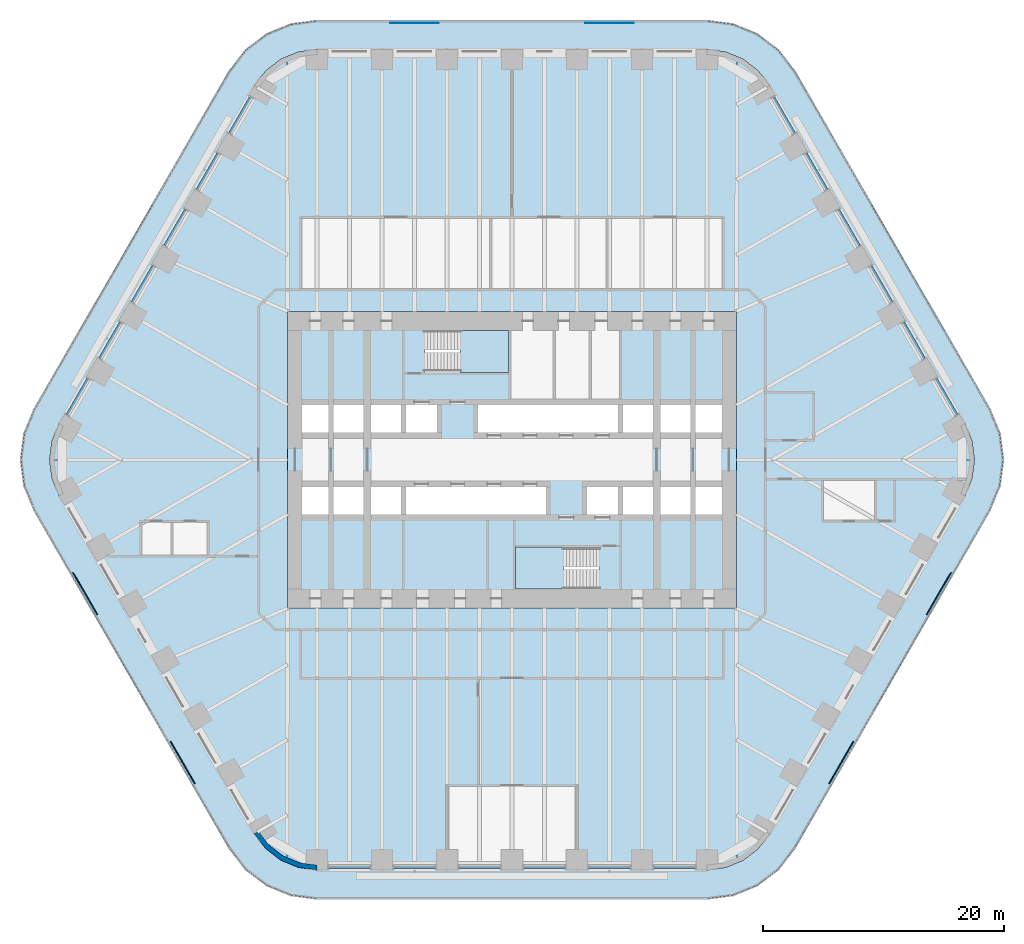
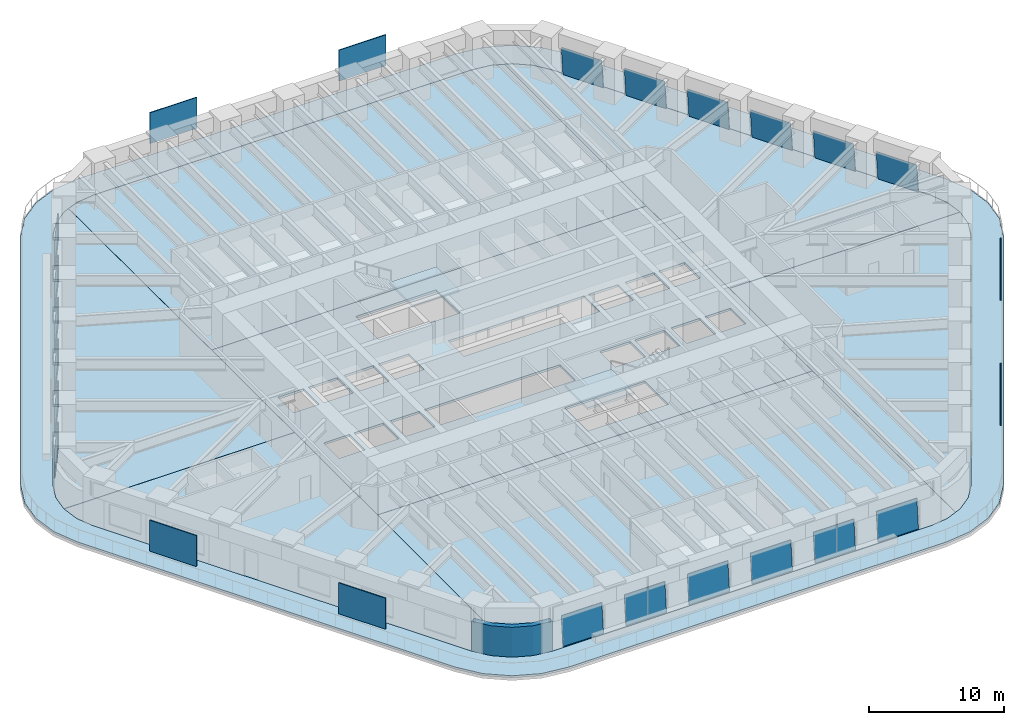
# One storey, part 15 of 23: 24 plates, 10 slabs, 1 wall, 20 elements without a shape of their own.
"""IFC4 building model written with IfcOpenShell, lengths in metres."""

from ifc_helpers import new_model, si_unit, direction, frame, origin, origin_2d, place, context, subcontext, project, spatial, polyline, rectangle, outline, extrude, material, layer, layer_set, type_object, element, aggregate, save


model = new_model("IFC4")

# Units and contexts
model_context = context("Model", 3, precision=1e-05, world=origin(), true_north=direction((0.0, 1.0)))
body_context = subcontext(model_context, "Body", "Model", "MODEL_VIEW")
ifc_project = project(units=[si_unit("LENGTHUNIT", "METRE"), si_unit("AREAUNIT", "SQUARE_METRE"), si_unit("VOLUMEUNIT", "CUBIC_METRE"), si_unit("PLANEANGLEUNIT", "RADIAN"), si_unit("MASSUNIT", "GRAM", prefix="KILO")], contexts=[model_context])

# Site, building, storey
site_placement = place(None, origin())
site = spatial("IfcSite", under=ifc_project, at=site_placement, CompositionType="ELEMENT")
building_placement = place(site_placement, origin())
building = spatial("IfcBuilding", under=site, at=building_placement, Name="Tarfa Lantern Tower", CompositionType="ELEMENT")
storey_placement = place(building_placement, frame((0.0, 0.0, 99.10009765625)))
storey = spatial("IfcBuildingStorey", under=building, at=storey_placement, Name="L22", CompositionType="ELEMENT", Elevation=99.10009765625)

# Slab
ifc_material_1 = material(Name="Concrete C40/50", Category="concrete")
ifc_layer_1 = layer(ifc_material_1, 0.199951171875)
ifc_layer_set_1 = layer_set([ifc_layer_1], Name="BS2 BALCONY SLAB 200")
slab_type_1 = type_object("IfcSlabType", Name="BS2 BALCONY SLAB 200", PredefinedType="FLOOR", material=ifc_layer_set_1)
slab_1_placement = place(storey_placement, frame((0.0, 0.0, -0.2001953125)))
element("IfcSlab", 1, at=slab_1_placement, inside=storey, type_object=slab_type_1, Name="Balcony L22", PredefinedType="FLOOR", context=body_context, shape_type="SweptSolid", body=[
    extrude(outline(polyline([(39.606201171875, 4.199951171875), (23.4404296875, 32.199951171875), (22.10546875, 33.939697265625), (20.36572265625, 35.274658203125), (18.33984375, 36.11376953125), (16.165771484375, 36.39990234375), (-16.165771484375, 36.39990234375), (-18.33984375, 36.11376953125), (-20.36572265625, 35.274658203125), (-22.10546875, 33.939697265625), (-23.4404296875, 32.199951171875), (-39.606201171875, 4.199951171875), (-40.4453125, 2.174072265625), (-40.731689453125, 0.0), (-40.4453125, -2.174072265625), (-39.606201171875, -4.199951171875), (-23.4404296875, -32.199951171875), (-22.10546875, -33.939697265625), (-20.36572265625, -35.274658203125), (-18.33984375, -36.11376953125), (-16.165771484375, -36.39990234375), (16.165771484375, -36.39990234375), (18.33984375, -36.11376953125), (20.36572265625, -35.274658203125), (22.10546875, -33.939697265625), (23.4404296875, -32.199951171875), (39.606201171875, -4.199951171875), (40.4453125, -2.174072265625), (40.731689453125, 0.0), (40.4453125, 2.174072265625), (39.606201171875, 4.199951171875)]), holes=[polyline([(37.52783203125, 3.0), (21.362060546875, 31.0), (20.408447265625, 32.24267578125), (19.165771484375, 33.196044921875), (17.71875, 33.795654296875), (16.165771484375, 34.0), (-16.165771484375, 34.0), (-17.71875, 33.795654296875), (-19.165771484375, 33.196044921875), (-20.408447265625, 32.24267578125), (-21.362060546875, 31.0), (-37.52783203125, 3.0), (-38.127197265625, 1.552978515625), (-38.33154296875, 0.0), (-38.127197265625, -1.552978515625), (-37.52783203125, -3.0), (-21.362060546875, -31.0), (-20.408447265625, -32.24267578125), (-19.165771484375, -33.196044921875), (-17.71875, -33.795654296875), (-16.165771484375, -34.0), (16.165771484375, -34.0), (17.71875, -33.795654296875), (19.165771484375, -33.196044921875), (20.408447265625, -32.24267578125), (21.362060546875, -31.0), (37.52783203125, -3.0), (38.127197265625, -1.552978515625), (38.33154296875, 0.0), (38.127197265625, 1.552978515625), (37.52783203125, 3.0)])]), origin(), (0.0, 0.0, 1.0), 0.2001953125),
])

# Curtain wall, plate
ifc_material_2 = material(Name="Aluminium framed curtain wall", Category="aluminium")
curtain_wall_type = type_object("IfcCurtainWallType", Name="CW1 CANTED GLAZING LOW ZONE 2700", PredefinedType="USERDEFINED", material=ifc_material_2)
curtain_wall_1_placement = place(storey_placement, origin())
curtain_wall_1 = element("IfcCurtainWall", 2, at=curtain_wall_1_placement, inside=storey, type_object=curtain_wall_type, Name="CW1 NE L22", ObjectType="CURTAIN WALL", PredefinedType="USERDEFINED")
ifc_material_3 = material(Name="Laminated double glazing", Category="glass")
ifc_layer_2 = layer(ifc_material_3, 0.028076171875)
ifc_layer_set_2 = layer_set([ifc_layer_2], Name="CWP1 DOUBLE GLAZED PANEL")
plate_type_1 = type_object("IfcPlateType", Name="CWP1 DOUBLE GLAZED PANEL", PredefinedType="CURTAIN_PANEL", material=ifc_layer_set_2)
plate_1_placement = place(storey_placement, frame((36.958740234375, 3.78564453125, 0.0), z_axis=(0.862328668437, 0.497885244559, 0.092193008634), x_axis=(-0.500014824519, 0.866016844675, 1.185802e-06)))
plate_1 = element("IfcPlate", 3, at=plate_1_placement, type_object=plate_type_1, Name="CW1 panel 1.1", PredefinedType="CURTAIN_PANEL", context=body_context, shape_type="SweptSolid", body=[
    extrude(outline(polyline([(0.0, 0.0), (3.4588050986823675, -2.7755575615628914e-17), (3.458687227400386, 2.6462757406584143), (0.00021563254350503633, 2.646283978259601), (0.0, 0.0)])), origin(), (0.0, 0.0, -1.0), 0.028076171875),
])
aggregate(curtain_wall_1, [plate_1])

curtain_wall_2_placement = place(storey_placement, origin())
curtain_wall_2 = element("IfcCurtainWall", 4, at=curtain_wall_2_placement, inside=storey, type_object=curtain_wall_type, Name="CW1 NE L22", ObjectType="CURTAIN WALL", PredefinedType="USERDEFINED")
plate_2_placement = place(storey_placement, frame((34.264404296875, 8.452392578125, 0.0), z_axis=(0.862340709651, 0.497857052326, 0.092232618567), x_axis=(-0.499988388526, 0.866032107567, 1.620746e-06)))
plate_2 = element("IfcPlate", 5, at=plate_2_placement, type_object=plate_type_1, Name="CW1 panel 1.1", PredefinedType="CURTAIN_PANEL", context=body_context, shape_type="SweptSolid", body=[
    extrude(outline(polyline([(0.0, 0.0), (3.4584715946188553, 0.0), (3.458680924575474, 2.6462839784417604), (-2.1036633928729573e-06, 2.646295237386087), (0.0, 0.0)])), origin(), (0.0, 0.0, -1.0), 0.028076171875),
])
aggregate(curtain_wall_2, [plate_2])

curtain_wall_3_placement = place(storey_placement, origin())
curtain_wall_3 = element("IfcCurtainWall", 6, at=curtain_wall_3_placement, inside=storey, type_object=curtain_wall_type, Name="CW1 NE L22", ObjectType="CURTAIN WALL", PredefinedType="USERDEFINED")
plate_3_placement = place(storey_placement, frame((31.570068359375, 13.119140625, 0.0), z_axis=(0.86231804758, 0.497899404143, 0.092215878092), x_axis=(-0.500029787915, 0.866008205036, -2.80672e-06)))
plate_3 = element("IfcPlate", 7, at=plate_3_placement, type_object=plate_type_1, Name="CW1 panel 1.1", PredefinedType="CURTAIN_PANEL", context=body_context, shape_type="SweptSolid", body=[
    extrude(outline(polyline([(0.0, 0.0), (3.458471593550903, 0.0), (3.458469494159286, 2.6462952359903724), (-0.00012417697655749924, 2.6462757386504), (0.0, 0.0)])), origin(), (0.0, 0.0, -1.0), 0.028076171875),
])
aggregate(curtain_wall_3, [plate_3])

curtain_wall_4_placement = place(storey_placement, origin())
curtain_wall_4 = element("IfcCurtainWall", 8, at=curtain_wall_4_placement, inside=storey, type_object=curtain_wall_type, Name="CW1 NE L22", ObjectType="CURTAIN WALL", PredefinedType="USERDEFINED")
plate_4_placement = place(storey_placement, frame((28.875732421875, 17.78564453125, 0.0), z_axis=(0.862328668437, 0.497885244559, 0.092193008634), x_axis=(-0.500014374553, 0.866017104462, -4.42593e-06)))
plate_4 = element("IfcPlate", 9, at=plate_4_placement, type_object=plate_type_1, Name="CW1 panel 1.1", PredefinedType="CURTAIN_PANEL", context=body_context, shape_type="SweptSolid", body=[
    extrude(outline(polyline([(0.0, 0.0), (3.458683024805527, 0.0), (3.45867231364208, 2.646295232853952), (7.864497178416369e-05, 2.646264486530969), (0.0, 0.0)])), origin(), (0.0, 0.0, -1.0), 0.028076171875),
])
aggregate(curtain_wall_4, [plate_4])

curtain_wall_5_placement = place(storey_placement, origin())
curtain_wall_5 = element("IfcCurtainWall", 10, at=curtain_wall_5_placement, inside=storey, type_object=curtain_wall_type, Name="CW1 NE L22", ObjectType="CURTAIN WALL", PredefinedType="USERDEFINED")
plate_5_placement = place(storey_placement, frame((26.181396484375, 22.452392578125, 0.0), z_axis=(0.862347061743, 0.497860719593, 0.092153399226), x_axis=(-0.499988388302, 0.866032107696, 1.619366e-06)))
plate_5 = element("IfcPlate", 11, at=plate_5_placement, type_object=plate_type_1, Name="CW1 panel 1.1", PredefinedType="CURTAIN_PANEL", context=body_context, shape_type="SweptSolid", body=[
    extrude(outline(polyline([(0.0, 0.0), (3.458471594618848, 0.0), (3.4585588533982596, 2.64626449077229), (-0.0001241748406306579, 2.6462757400462187), (0.0, 0.0)])), origin(), (0.0, 0.0, -1.0), 0.028076171875),
])
aggregate(curtain_wall_5, [plate_5])

curtain_wall_6_placement = place(storey_placement, origin())
curtain_wall_6 = element("IfcCurtainWall", 12, at=curtain_wall_6_placement, inside=storey, type_object=curtain_wall_type, Name="CW1 NE L22", ObjectType="CURTAIN WALL", PredefinedType="USERDEFINED")
plate_6_placement = place(storey_placement, frame((23.487060546875, 27.119140625, 0.0), z_axis=(0.862336442431, 0.497874879503, 0.092176268179), x_axis=(-0.500003541824, 0.866023358902, 0.0)))
plate_6 = element("IfcPlate", 13, at=plate_6_placement, type_object=plate_type_1, Name="CW1 panel 1.1", PredefinedType="CURTAIN_PANEL", context=body_context, shape_type="SweptSolid", body=[
    extrude(outline(polyline([(0.0, 0.0), (3.4584715951528233, 0.0), (3.4583474213801635, 2.6462757407441324), (-0.00012417377265973306, 2.6462757407441324), (0.0, 0.0)])), origin(), (0.0, 0.0, -1.0), 0.028076171875),
])
aggregate(curtain_wall_6, [plate_6])

curtain_wall_7_placement = place(storey_placement, origin())
curtain_wall_7 = element("IfcCurtainWall", 14, at=curtain_wall_7_placement, inside=storey, type_object=curtain_wall_type, Name="CW1 NW L22", ObjectType="CURTAIN WALL", PredefinedType="USERDEFINED")
plate_7_placement = place(storey_placement, frame((-21.7578125, 30.1142578125, 0.0), z_axis=(-0.862336442431, 0.497874879503, 0.092176268179), x_axis=(-0.500003541824, -0.866023358902, 0.0)))
plate_7 = element("IfcPlate", 15, at=plate_7_placement, type_object=plate_type_1, Name="CW1 panel 1.1", PredefinedType="CURTAIN_PANEL", context=body_context, shape_type="SweptSolid", body=[
    extrude(outline(polyline([(0.0, 0.0), (3.4584715951528233, 0.0), (3.4585957689254827, 2.6462757407441324), (0.00012417377265973306, 2.6462757407441324), (0.0, 0.0)])), origin(), (0.0, 0.0, -1.0), 0.028076171875),
])
aggregate(curtain_wall_7, [plate_7])

curtain_wall_8_placement = place(storey_placement, origin())
curtain_wall_8 = element("IfcCurtainWall", 16, at=curtain_wall_8_placement, inside=storey, type_object=curtain_wall_type, Name="CW1 NW L22", ObjectType="CURTAIN WALL", PredefinedType="USERDEFINED")
plate_8_placement = place(storey_placement, frame((-24.4521484375, 25.447509765625, 0.0), z_axis=(-0.862347061743, 0.497860719593, 0.092153399226), x_axis=(-0.499988388302, -0.866032107696, -1.619366e-06)))
plate_8 = element("IfcPlate", 17, at=plate_8_placement, type_object=plate_type_1, Name="CW1 panel 1.1", PredefinedType="CURTAIN_PANEL", context=body_context, shape_type="SweptSolid", body=[
    extrude(outline(polyline([(0.0, 0.0), (3.458471594618848, 0.0), (3.458595769459478, 2.6462757400462182), (-8.725877941228665e-05, 2.64626449077229), (0.0, 0.0)])), origin(), (0.0, 0.0, -1.0), 0.028076171875),
])
aggregate(curtain_wall_8, [plate_8])

curtain_wall_9_placement = place(storey_placement, origin())
curtain_wall_9 = element("IfcCurtainWall", 18, at=curtain_wall_9_placement, inside=storey, type_object=curtain_wall_type, Name="CW1 NW L22", ObjectType="CURTAIN WALL", PredefinedType="USERDEFINED")
plate_9_placement = place(storey_placement, frame((-27.146484375, 20.781005859375, 0.0), z_axis=(-0.862328668437, 0.497885244559, 0.092193008634), x_axis=(-0.500014374553, -0.866017104462, 4.42593e-06)))
plate_9 = element("IfcPlate", 19, at=plate_9_placement, type_object=plate_type_1, Name="CW1 panel 1.1", PredefinedType="CURTAIN_PANEL", context=body_context, shape_type="SweptSolid", body=[
    extrude(outline(polyline([(0.0, 0.0), (3.458683024805527, 0.0), (3.4586043798337425, 2.646264486530969), (1.0711163447508162e-05, 2.646295232853952), (0.0, 0.0)])), origin(), (0.0, 0.0, -1.0), 0.028076171875),
])
aggregate(curtain_wall_9, [plate_9])

curtain_wall_10_placement = place(storey_placement, origin())
curtain_wall_10 = element("IfcCurtainWall", 20, at=curtain_wall_10_placement, inside=storey, type_object=curtain_wall_type, Name="CW1 NW L22", ObjectType="CURTAIN WALL", PredefinedType="USERDEFINED")
plate_10_placement = place(storey_placement, frame((-29.8408203125, 16.1142578125, 0.0), z_axis=(-0.86231804758, 0.497899404143, 0.092215878092), x_axis=(-0.500029787915, -0.866008205036, 2.80672e-06)))
plate_10 = element("IfcPlate", 21, at=plate_10_placement, type_object=plate_type_1, Name="CW1 panel 1.1", PredefinedType="CURTAIN_PANEL", context=body_context, shape_type="SweptSolid", body=[
    extrude(outline(polyline([(0.0, 0.0), (3.458471593550903, 0.0), (3.4585957705274604, 2.6462757386504), (2.099391617293653e-06, 2.6462952359903724), (0.0, 0.0)])), origin(), (0.0, 0.0, -1.0), 0.028076171875),
])
aggregate(curtain_wall_10, [plate_10])

curtain_wall_11_placement = place(storey_placement, origin())
curtain_wall_11 = element("IfcCurtainWall", 22, at=curtain_wall_11_placement, inside=storey, type_object=curtain_wall_type, Name="CW1 NW L22", ObjectType="CURTAIN WALL", PredefinedType="USERDEFINED")
plate_11_placement = place(storey_placement, frame((-32.53515625, 11.447509765625, 0.0), z_axis=(-0.862340709651, 0.497857052326, 0.092232618567), x_axis=(-0.499988388526, -0.866032107567, -1.620746e-06)))
plate_11 = element("IfcPlate", 23, at=plate_11_placement, type_object=plate_type_1, Name="CW1 panel 1.1", PredefinedType="CURTAIN_PANEL", context=body_context, shape_type="SweptSolid", body=[
    extrude(outline(polyline([(0.0, 0.0), (3.4584715946188553, 0.0), (3.458473698282248, 2.646295237386087), (-0.00020932995661861062, 2.6462839784417604), (0.0, 0.0)])), origin(), (0.0, 0.0, -1.0), 0.028076171875),
])
aggregate(curtain_wall_11, [plate_11])

curtain_wall_12_placement = place(storey_placement, origin())
curtain_wall_12 = element("IfcCurtainWall", 24, at=curtain_wall_12_placement, inside=storey, type_object=curtain_wall_type, Name="CW1 NW L22", ObjectType="CURTAIN WALL", PredefinedType="USERDEFINED")
plate_12_placement = place(storey_placement, frame((-35.229248046875, 6.781005859375, 0.0), z_axis=(-0.862328668437, 0.497885244559, 0.092193008634), x_axis=(-0.500014824519, -0.866016844675, -1.185802e-06)))
plate_12 = element("IfcPlate", 25, at=plate_12_placement, type_object=plate_type_1, Name="CW1 panel 1.1", PredefinedType="CURTAIN_PANEL", context=body_context, shape_type="SweptSolid", body=[
    extrude(outline(polyline([(0.0, 0.0), (3.4588050986823675, 2.7755575615628914e-17), (3.4585894661388625, 2.646283978259601), (0.00011787128198159993, 2.6462757406584143), (0.0, 0.0)])), origin(), (0.0, 0.0, -1.0), 0.028076171875),
])
aggregate(curtain_wall_12, [plate_12])

curtain_wall_13_placement = place(storey_placement, origin())
curtain_wall_13 = element("IfcCurtainWall", 26, at=curtain_wall_13_placement, inside=storey, type_object=curtain_wall_type, Name="CW1 S L22", ObjectType="CURTAIN WALL", PredefinedType="USERDEFINED")
plate_13_placement = place(storey_placement, frame((-15.200927734375, -33.89990234375, 0.0), z_axis=(0.0, -0.995743653657, 0.092166025202), x_axis=(1.0, 0.0, 0.0)))
plate_13 = element("IfcPlate", 27, at=plate_13_placement, type_object=plate_type_1, Name="CW1 panel 1.1", PredefinedType="CURTAIN_PANEL", context=body_context, shape_type="SweptSolid", body=[
    extrude(outline(polyline([(0.0, 0.0), (3.458740234375, 0.0), (3.458740234375, 2.6462732209712594), (0.0, 2.6462732209712594), (0.0, 0.0)])), origin(), (0.0, 0.0, -1.0), 0.028076171875),
])
aggregate(curtain_wall_13, [plate_13])

curtain_wall_14_placement = place(storey_placement, origin())
curtain_wall_14 = element("IfcCurtainWall", 28, at=curtain_wall_14_placement, inside=storey, type_object=curtain_wall_type, Name="CW1 S L22", ObjectType="CURTAIN WALL", PredefinedType="USERDEFINED")
plate_14_placement = place(storey_placement, frame((-9.812255859375, -33.89990234375, 0.0), z_axis=(0.0, -0.995743653657, 0.092166025202), x_axis=(1.0, 0.0, 0.0)))
plate_14 = element("IfcPlate", 29, at=plate_14_placement, type_object=plate_type_1, Name="CW1 panel 1.1", PredefinedType="CURTAIN_PANEL", context=body_context, shape_type="SweptSolid", body=[
    extrude(outline(polyline([(0.0, 0.0), (3.458740234375, 0.0), (3.458740234375, 2.6462732209712594), (0.0, 2.6462732209712594), (0.0, 0.0)])), origin(), (0.0, 0.0, -1.0), 0.028076171875),
])
aggregate(curtain_wall_14, [plate_14])

curtain_wall_15_placement = place(storey_placement, origin())
curtain_wall_15 = element("IfcCurtainWall", 30, at=curtain_wall_15_placement, inside=storey, type_object=curtain_wall_type, Name="CW1 S L22", ObjectType="CURTAIN WALL", PredefinedType="USERDEFINED")
plate_15_placement = place(storey_placement, frame((-4.423583984375, -33.89990234375, 0.0), z_axis=(0.0, -0.995743653657, 0.092166025202), x_axis=(1.0, 0.0, 0.0)))
plate_15 = element("IfcPlate", 31, at=plate_15_placement, type_object=plate_type_1, Name="CW1 panel 1.1", PredefinedType="CURTAIN_PANEL", context=body_context, shape_type="SweptSolid", body=[
    extrude(outline(polyline([(0.0, 0.0), (3.45849609375, 0.0), (3.45849609375, 2.6462732209712594), (0.0, 2.6462732209712594), (0.0, 0.0)])), origin(), (0.0, 0.0, -1.0), 0.028076171875),
])
aggregate(curtain_wall_15, [plate_15])

curtain_wall_16_placement = place(storey_placement, origin())
curtain_wall_16 = element("IfcCurtainWall", 32, at=curtain_wall_16_placement, inside=storey, type_object=curtain_wall_type, Name="CW1 S L22", ObjectType="CURTAIN WALL", PredefinedType="USERDEFINED")
plate_16_placement = place(storey_placement, frame((0.965087890625, -33.89990234375, 0.0), z_axis=(0.0, -0.995743653657, 0.092166025202), x_axis=(1.0, 0.0, 0.0)))
plate_16 = element("IfcPlate", 33, at=plate_16_placement, type_object=plate_type_1, Name="CW1 panel 1.1", PredefinedType="CURTAIN_PANEL", context=body_context, shape_type="SweptSolid", body=[
    extrude(outline(polyline([(0.0, 0.0), (3.45849609375, 0.0), (3.45849609375, 2.6462732209712594), (0.0, 2.6462732209712594), (0.0, 0.0)])), origin(), (0.0, 0.0, -1.0), 0.028076171875),
])
aggregate(curtain_wall_16, [plate_16])

curtain_wall_17_placement = place(storey_placement, origin())
curtain_wall_17 = element("IfcCurtainWall", 34, at=curtain_wall_17_placement, inside=storey, type_object=curtain_wall_type, Name="CW1 S L22", ObjectType="CURTAIN WALL", PredefinedType="USERDEFINED")
plate_17_placement = place(storey_placement, frame((6.353515625, -33.89990234375, 0.0), z_axis=(0.0, -0.995743653657, 0.092166025202), x_axis=(1.0, 0.0, 0.0)))
plate_17 = element("IfcPlate", 35, at=plate_17_placement, type_object=plate_type_1, Name="CW1 panel 1.1", PredefinedType="CURTAIN_PANEL", context=body_context, shape_type="SweptSolid", body=[
    extrude(outline(polyline([(0.0, 0.0), (3.458740234375, 0.0), (3.458740234375, 2.6462732209712594), (0.0, 2.6462732209712594), (0.0, 0.0)])), origin(), (0.0, 0.0, -1.0), 0.028076171875),
])
aggregate(curtain_wall_17, [plate_17])

curtain_wall_18_placement = place(storey_placement, origin())
curtain_wall_18 = element("IfcCurtainWall", 36, at=curtain_wall_18_placement, inside=storey, type_object=curtain_wall_type, Name="CW1 S L22", ObjectType="CURTAIN WALL", PredefinedType="USERDEFINED")
plate_18_placement = place(storey_placement, frame((11.7421875, -33.89990234375, 0.0), z_axis=(0.0, -0.995743653657, 0.092166025202), x_axis=(1.0, 0.0, 0.0)))
plate_18 = element("IfcPlate", 37, at=plate_18_placement, type_object=plate_type_1, Name="CW1 panel 1.1", PredefinedType="CURTAIN_PANEL", context=body_context, shape_type="SweptSolid", body=[
    extrude(outline(polyline([(0.0, 0.0), (3.458740234375, 0.0), (3.458740234375, 2.6462732209712594), (0.0, 2.6462732209712594), (0.0, 0.0)])), origin(), (0.0, 0.0, -1.0), 0.028076171875),
])
aggregate(curtain_wall_18, [plate_18])

# Slabs
ifc_layer_3 = layer(ifc_material_1, 0.199951171875)
ifc_layer_set_3 = layer_set([ifc_layer_3], Name="FS1 FLOOR SLAB 200")
slab_type_2 = type_object("IfcSlabType", Name="FS1 FLOOR SLAB 200", PredefinedType="FLOOR", material=ifc_layer_set_3)
slab_2_placement = place(storey_placement, frame((0.0, 0.0, -0.2001953125)))
element("IfcSlab", 38, at=slab_2_placement, inside=storey, type_object=slab_type_2, Name="Floor slab L22", PredefinedType="FLOOR", context=body_context, shape_type="SweptSolid", body=[
    extrude(outline(polyline([(-18.60009765625, -12.300048828125), (18.60009765625, -12.300048828125), (18.60009765625, 12.300048828125), (-18.60009765625, 12.300048828125), (-18.60009765625, -12.300048828125)]), holes=[polyline([(-17.39990234375, 2.25), (-15.199951171875, 2.25), (-15.199951171875, 4.550048828125), (-17.39990234375, 4.550048828125), (-17.39990234375, 2.25)]), polyline([(-14.800048828125, 2.25), (-12.300048828125, 2.25), (-12.300048828125, 4.550048828125), (-14.800048828125, 4.550048828125), (-14.800048828125, 2.25)]), polyline([(-11.699951171875, 2.25), (-9.199951171875, 2.25), (-9.199951171875, 4.550048828125), (-11.699951171875, 4.550048828125), (-11.699951171875, 2.25)]), polyline([(-8.800048828125, 2.25), (-6.199951171875, 2.25), (-6.199951171875, 4.550048828125), (-8.800048828125, 4.550048828125), (-8.800048828125, 2.25)]), polyline([(-2.800048828125, 2.25), (8.800048828125, 2.25), (8.800048828125, 4.550048828125), (-2.800048828125, 4.550048828125), (-2.800048828125, 2.25)]), polyline([(9.199951171875, 2.25), (11.699951171875, 2.25), (11.699951171875, 4.550048828125), (9.199951171875, 4.550048828125), (9.199951171875, 2.25)]), polyline([(12.300048828125, 2.25), (14.800048828125, 2.25), (14.800048828125, 4.550048828125), (12.300048828125, 4.550048828125), (12.300048828125, 2.25)]), polyline([(15.199951171875, 2.25), (17.39990234375, 2.25), (17.39990234375, 4.550048828125), (15.199951171875, 4.550048828125), (15.199951171875, 2.25)]), polyline([(17.39990234375, -2.25), (15.199951171875, -2.25), (15.199951171875, -4.550048828125), (17.39990234375, -4.550048828125), (17.39990234375, -2.25)]), polyline([(14.800048828125, -2.25), (12.300048828125, -2.25), (12.300048828125, -4.550048828125), (14.800048828125, -4.550048828125), (14.800048828125, -2.25)]), polyline([(11.699951171875, -2.25), (9.199951171875, -2.25), (9.199951171875, -4.550048828125), (11.699951171875, -4.550048828125), (11.699951171875, -2.25)]), polyline([(8.800048828125, -2.25), (6.199951171875, -2.25), (6.199951171875, -4.550048828125), (8.800048828125, -4.550048828125), (8.800048828125, -2.25)]), polyline([(2.800048828125, -2.25), (-8.800048828125, -2.25), (-8.800048828125, -4.550048828125), (2.800048828125, -4.550048828125), (2.800048828125, -2.25)]), polyline([(-9.199951171875, -2.25), (-11.699951171875, -2.25), (-11.699951171875, -4.550048828125), (-9.199951171875, -4.550048828125), (-9.199951171875, -2.25)]), polyline([(-12.300048828125, -2.25), (-14.800048828125, -2.25), (-14.800048828125, -4.550048828125), (-12.300048828125, -4.550048828125), (-12.300048828125, -2.25)]), polyline([(-15.199951171875, -2.25), (-17.39990234375, -2.25), (-17.39990234375, -4.550048828125), (-15.199951171875, -4.550048828125), (-15.199951171875, -2.25)]), polyline([(-7.199951171875, 7.25), (-0.300048828125, 7.25), (-0.300048828125, 10.699951171875), (-7.199951171875, 10.699951171875), (-7.199951171875, 7.25)]), polyline([(7.199951171875, -7.25), (0.300048828125, -7.25), (0.300048828125, -10.699951171875), (7.199951171875, -10.699951171875), (7.199951171875, -7.25)])]), origin(), (0.0, 0.0, 1.0), 0.2001953125),
])
slab_3_placement = place(storey_placement, frame((0.0, 0.0, -0.2001953125)))
element("IfcSlab", 39, at=slab_3_placement, inside=storey, type_object=slab_type_2, Name="Floor slab L22 NE bay", PredefinedType="FLOOR", context=body_context, shape_type="SweptSolid", body=[
    extrude(outline(polyline([(37.52587890625, 2.9990234375), (21.3603515625, 30.998779296875), (20.406982421875, 32.2412109375), (19.164794921875, 33.1943359375), (18.64697265625, 33.408935546875), (18.60205078125, 12.300048828125), (18.60205078125, 0.001953125), (38.329345703125, 0.001953125), (38.125244140625, 1.552490234375), (37.52587890625, 2.9990234375)])), origin(), (0.0, 0.0, 1.0), 0.2001953125),
])
slab_4_placement = place(storey_placement, frame((0.0, 0.0, -0.2001953125)))
element("IfcSlab", 40, at=slab_4_placement, inside=storey, type_object=slab_type_2, Name="Floor slab L22 N bay", PredefinedType="FLOOR", context=body_context, shape_type="SweptSolid", body=[
    extrude(outline(polyline([(-18.597900390625, 12.302001953125), (18.597900390625, 12.302001953125), (18.64306640625, 33.41064453125), (17.71826171875, 33.793701171875), (16.165771484375, 33.998046875), (-16.165771484375, 33.998046875), (-17.71826171875, 33.793701171875), (-18.64306640625, 33.41064453125), (-18.597900390625, 12.302001953125)])), origin(), (0.0, 0.0, 1.0), 0.2001953125),
])
slab_5_placement = place(storey_placement, frame((0.0, 0.0, -0.2001953125)))
element("IfcSlab", 41, at=slab_5_placement, inside=storey, type_object=slab_type_2, Name="Floor slab L22 NW bay", PredefinedType="FLOOR", context=body_context, shape_type="SweptSolid", body=[
    extrude(outline(polyline([(-18.60205078125, 0.001953125), (-18.60205078125, 12.300048828125), (-18.64697265625, 33.408935546875), (-19.164794921875, 33.1943359375), (-20.406982421875, 32.2412109375), (-21.3603515625, 30.998779296875), (-37.52587890625, 2.9990234375), (-38.125244140625, 1.552490234375), (-38.329345703125, 0.001953125), (-18.60205078125, 0.001953125)])), origin(), (0.0, 0.0, 1.0), 0.2001953125),
])
slab_6_placement = place(storey_placement, frame((0.0, 0.0, -0.2001953125)))
element("IfcSlab", 42, at=slab_6_placement, inside=storey, type_object=slab_type_2, Name="Floor slab L22 SW bay", PredefinedType="FLOOR", context=body_context, shape_type="SweptSolid", body=[
    extrude(outline(polyline([(-18.60205078125, -12.300048828125), (-18.60205078125, -0.001953125), (-38.329345703125, -0.001953125), (-38.125244140625, -1.552490234375), (-37.52587890625, -2.9990234375), (-21.3603515625, -30.998779296875), (-20.406982421875, -32.2412109375), (-19.164794921875, -33.1943359375), (-18.64697265625, -33.408935546875), (-18.60205078125, -12.300048828125)])), origin(), (0.0, 0.0, 1.0), 0.2001953125),
])
slab_7_placement = place(storey_placement, frame((0.0, 0.0, -0.2001953125)))
element("IfcSlab", 43, at=slab_7_placement, inside=storey, type_object=slab_type_2, Name="Floor slab L22 S bay", PredefinedType="FLOOR", context=body_context, shape_type="SweptSolid", body=[
    extrude(outline(polyline([(18.597900390625, -12.302001953125), (-18.597900390625, -12.302001953125), (-18.64306640625, -33.41064453125), (-17.71826171875, -33.793701171875), (-16.165771484375, -33.998046875), (16.165771484375, -33.998046875), (17.71826171875, -33.793701171875), (18.64306640625, -33.41064453125), (18.597900390625, -12.302001953125)])), origin(), (0.0, 0.0, 1.0), 0.2001953125),
])
slab_8_placement = place(storey_placement, frame((0.0, 0.0, -0.2001953125)))
element("IfcSlab", 44, at=slab_8_placement, inside=storey, type_object=slab_type_2, Name="Floor slab L22 SE bay", PredefinedType="FLOOR", context=body_context, shape_type="SweptSolid", body=[
    extrude(outline(polyline([(18.60205078125, -0.001953125), (18.60205078125, -12.300048828125), (18.64697265625, -33.408935546875), (19.164794921875, -33.1943359375), (20.406982421875, -32.2412109375), (21.3603515625, -30.998779296875), (37.52587890625, -2.9990234375), (38.125244140625, -1.552490234375), (38.329345703125, -0.001953125), (18.60205078125, -0.001953125)])), origin(), (0.0, 0.0, 1.0), 0.2001953125),
])

# Plates
ifc_material_4 = material(Name="Perforated limestone screen", Category="masonry")
ifc_layer_4 = layer(ifc_material_4, 0.080078125)
ifc_layer_set_4 = layer_set([ifc_layer_4], Name="SC1 STONE SCREEN 80")
plate_type_2 = type_object("IfcPlateType", Name="SC1 STONE SCREEN 80", PredefinedType="USERDEFINED", material=ifc_layer_set_4)
for number, where, z_axis, x_axis, name in (
    (45, (8.0830078125, 36.199951171875, 1.19970703125), (0.0, 0.0, 1.0), (-1.0, 0.0, 0.0), "Stone screen N 1"),
    (46, (-8.0830078125, 36.199951171875, 1.19970703125), (0.0, 0.0, 1.0), (-1.0, 0.0, 0.0), "Stone screen N 2"),
    (47, (-35.3916015625, -11.10009765625, 1.19970703125), (0.0, 0.0, 1.0), (0.5, -0.866025403784, 0.0), "Stone screen SW 1"),
    (48, (-27.30859375, -25.10009765625, 1.19970703125), (0.0, 0.0, 1.0), (0.5, -0.866025403784, 0.0), "Stone screen SW 2"),
    (49, (27.30859375, -25.10009765625, 1.19970703125), (0.0, 0.0, 1.0), (0.5, 0.866025403784, 0.0), "Stone screen SE 1"),
    (50, (35.3916015625, -11.10009765625, 1.19970703125), (0.0, 0.0, 1.0), (0.5, 0.866025403784, 0.0), "Stone screen SE 2"),
):
    element("IfcPlate", number, at=place(storey_placement, frame(where, z_axis=z_axis, x_axis=x_axis)), inside=storey, type_object=plate_type_2, Name=name, ObjectType="SCREEN", PredefinedType="USERDEFINED", context=body_context, shape_type="SweptSolid", body=[
        extrude(rectangle(XDim=4.0, YDim=0.080078125, at=origin_2d()), origin(), (0.0, 0.0, 1.0), 2.800048828125),
    ])

# Stair, slab
stair_type = type_object("IfcStairType", Name="ST-T10 HALF-TURN STAIR 4200 RISE", PredefinedType="HALF_TURN_STAIR", material=ifc_material_1)
stair_1_placement = place(storey_placement, origin())
stair_1 = element("IfcStair", 51, at=stair_1_placement, inside=storey, type_object=stair_type, Name="Stair ST1", PredefinedType="HALF_TURN_STAIR")
ifc_layer_5 = layer(ifc_material_1, 0.199951171875)
ifc_layer_set_5 = layer_set([ifc_layer_5], Name="SL1 STAIR LANDING 200")
slab_type_3 = type_object("IfcSlabType", Name="SL1 STAIR LANDING 200", PredefinedType="LANDING", material=ifc_layer_set_5)
slab_9_placement = place(storey_placement, frame((0.0, 0.0, 1.89990234375)))
slab_9 = element("IfcSlab", 52, at=slab_9_placement, type_object=slab_type_3, Name="ST1 landing 1", PredefinedType="LANDING", context=body_context, shape_type="SweptSolid", body=[
    extrude(outline(polyline([(-4.320068359375, 7.25), (-0.300048828125, 7.25), (-0.300048828125, 10.699951171875), (-4.320068359375, 10.699951171875), (-4.320068359375, 7.25)])), origin(), (0.0, 0.0, 1.0), 0.199951171875),
])
aggregate(stair_1, [slab_9])

stair_2_placement = place(storey_placement, origin())
stair_2 = element("IfcStair", 53, at=stair_2_placement, inside=storey, type_object=stair_type, Name="Stair ST2", PredefinedType="HALF_TURN_STAIR")
slab_10_placement = place(storey_placement, frame((0.0, 0.0, 1.89990234375)))
slab_10 = element("IfcSlab", 54, at=slab_10_placement, type_object=slab_type_3, Name="ST2 landing 1", PredefinedType="LANDING", context=body_context, shape_type="SweptSolid", body=[
    extrude(outline(polyline([(4.320068359375, -7.25), (0.300048828125, -7.25), (0.300048828125, -10.699951171875), (4.320068359375, -10.699951171875), (4.320068359375, -7.25)])), origin(), (0.0, 0.0, 1.0), 0.199951171875),
])
aggregate(stair_2, [slab_10])

# Wall
ifc_material_5 = material(Name="Limestone cladding on blockwork", Category="masonry")
ifc_layer_6 = layer(ifc_material_5, 0.39990234375)
ifc_layer_set_6 = layer_set([ifc_layer_6], Name="EW2 CURVED STONE CORNER 400")
wall_type = type_object("IfcWallType", Name="EW2 CURVED STONE CORNER 400", PredefinedType="SOLIDWALL", material=ifc_layer_set_6)
wall_placement = place(storey_placement, origin())
element("IfcWall", 55, at=wall_placement, inside=storey, type_object=wall_type, Name="Stone corner SW-S", PredefinedType="SOLIDWALL", context=body_context, shape_type="SweptSolid", body=[
    extrude(outline(polyline([(-21.362060546875, -31.0), (-20.408447265625, -32.24267578125), (-19.165771484375, -33.196044921875), (-17.71875, -33.795654296875), (-16.165771484375, -34.0), (-16.165771484375, -33.60009765625), (-17.615234375, -33.4091796875), (-18.9658203125, -32.849853515625), (-20.12548828125, -31.959716796875), (-21.015625, -30.800048828125), (-21.362060546875, -31.0)])), origin(), (0.0, 0.0, 1.0), 2.699951171875),
])

save(model, "model.ifc")
